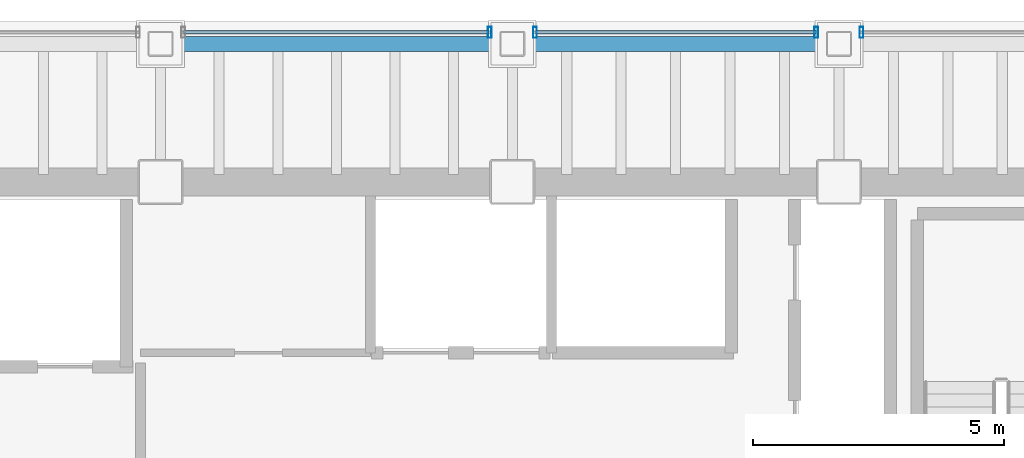
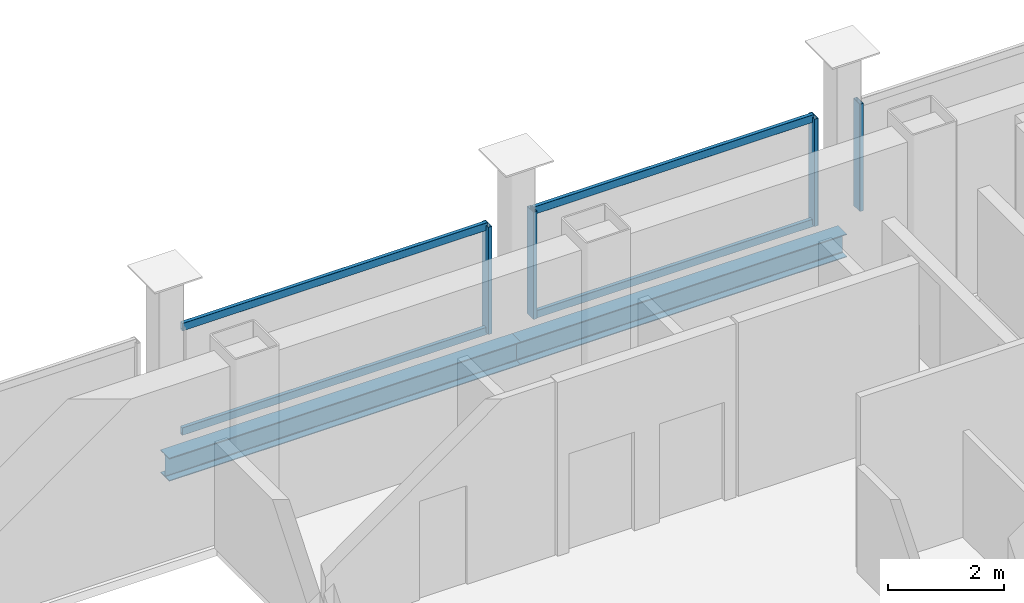
# One storey, part 15 of 21: 8 members, 2 beams, 3 elements without a shape of their own.
"""IFC4 building model written with IfcOpenShell, lengths in metres."""

from ifc_helpers import new_model, si_unit, direction, frame, origin, origin_2d, place, context, subcontext, project, spatial, hollow_rectangle, i_section, extrude, material, material_profile, profile_set, type_object, element, aggregate, save


model = new_model("IFC4")

# Units and contexts
model_context = context("Model", 3, precision=1e-05, world=origin(), true_north=direction((0.0, 1.0)))
body_context = subcontext(model_context, "Body", "Model", "MODEL_VIEW")
ifc_project = project(units=[si_unit("LENGTHUNIT", "METRE"), si_unit("AREAUNIT", "SQUARE_METRE"), si_unit("VOLUMEUNIT", "CUBIC_METRE"), si_unit("PLANEANGLEUNIT", "RADIAN"), si_unit("MASSUNIT", "GRAM", prefix="KILO")], contexts=[model_context])

# Site, building, storey
site_placement = place(None, origin())
site = spatial("IfcSite", under=ifc_project, at=site_placement, CompositionType="ELEMENT")
building_placement = place(site_placement, origin())
building = spatial("IfcBuilding", under=site, at=building_placement, Name="Noeulbin Bourse Tower", CompositionType="ELEMENT")
storey_placement = place(building_placement, frame((0.0, 0.0, 111.0)))
storey = spatial("IfcBuildingStorey", under=building, at=storey_placement, Name="L27", CompositionType="ELEMENT", Elevation=111.0)

# Beams
ifc_material_1 = material(Name="Steel S355", Category="steel")
ifc_material_profile_1 = material_profile(ifc_material_1, i_section(OverallWidth=0.300048828125, OverallDepth=0.488037109375, WebThickness=0.010986328125, FlangeThickness=0.01806640625, FilletRadius=0.02197265625, at=origin_2d()), Name="H-488x300x11x18", Category="LoadBearing")
ifc_profile_set_1 = profile_set([ifc_material_profile_1], Name="Steel S355")
beam_type = type_object("IfcBeamType", Name="BM-SPN-488", PredefinedType="SPANDREL", material=ifc_profile_set_1)
beam_1_placement = place(storey_placement, frame((24.0, 41.050048828125, -0.424072265625), z_axis=(1.0, 0.0, 0.0), x_axis=(0.0, 1.0, 0.0)))
element("IfcBeam", 1, at=beam_1_placement, inside=storey, type_object=beam_type, Name="North Spandrel L27-2", PredefinedType="SPANDREL", context=body_context, shape_type="SweptSolid", body=[
    extrude(i_section(OverallWidth=0.300048828125, OverallDepth=0.488037109375, WebThickness=0.010986328125, FlangeThickness=0.01806640625, FilletRadius=0.02197265625, at=origin_2d()), origin(), (0.0, 0.0, 1.0), 7.0),
])
beam_2_placement = place(storey_placement, frame((31.0, 41.050048828125, -0.424072265625), z_axis=(1.0, 0.0, 0.0), x_axis=(0.0, 1.0, 0.0)))
element("IfcBeam", 2, at=beam_2_placement, inside=storey, type_object=beam_type, Name="North Spandrel L27-3", PredefinedType="SPANDREL", context=body_context, shape_type="SweptSolid", body=[
    extrude(i_section(OverallWidth=0.300048828125, OverallDepth=0.488037109375, WebThickness=0.010986328125, FlangeThickness=0.01806640625, FilletRadius=0.02197265625, at=origin_2d()), origin(), (0.0, 0.0, 1.0), 6.5),
])

# Curtain wall, member
ifc_material_2 = material(Name="Dark Tinted Triple Glazing", Category="glass")
curtain_wall_type = type_object("IfcCurtainWallType", Name="CW-SYS-3", PredefinedType="NOTDEFINED", material=ifc_material_2)
curtain_wall_1_placement = place(storey_placement, origin())
curtain_wall_1 = element("IfcCurtainWall", 3, at=curtain_wall_1_placement, inside=storey, type_object=curtain_wall_type, Name="Unitised Curtain Wall CW-L27-N-S3", PredefinedType="NOTDEFINED")
ifc_material_3 = material(Name="Anodised Aluminium 6063-T6", Category="aluminium")
ifc_material_profile_2 = material_profile(ifc_material_3, hollow_rectangle(XDim=0.074951171875, YDim=0.219970703125, WallThickness=0.0048828125, InnerFilletRadius=0.00244140625, OuterFilletRadius=0.0048828125, at=origin_2d()), Name="ALU-MULL-75x220x5", Category="LoadBearing")
ifc_profile_set_2 = profile_set([ifc_material_profile_2], Name="Anodised Aluminium 6063-T6")
member_type_1 = type_object("IfcMemberType", Name="CW-SYS-3-MUL", PredefinedType="MULLION", material=ifc_profile_set_2)
member_1_placement = place(storey_placement, frame((30.550048828125, 41.280029296875, -0.02001953125), z_axis=(0.0, 0.0, 1.0), x_axis=(1.0, 0.0, 0.0)))
member_1 = element("IfcMember", 4, at=member_1_placement, type_object=member_type_1, Name="Curtain Wall Mullion CW-L27-N-S3-M01", PredefinedType="MULLION", context=body_context, shape_type="SweptSolid", body=[
    extrude(hollow_rectangle(XDim=0.074951171875, YDim=0.219970703125, WallThickness=0.0048828125, InnerFilletRadius=0.00244140625, OuterFilletRadius=0.0048828125, at=origin_2d()), origin(), (0.0, 0.0, 1.0), 2.260009765625),
])

# Curtain wall, members
curtain_wall_2_placement = place(storey_placement, origin())
curtain_wall_2 = element("IfcCurtainWall", 5, at=curtain_wall_2_placement, inside=storey, type_object=curtain_wall_type, Name="Unitised Curtain Wall CW-L27-N-S4", PredefinedType="NOTDEFINED")
member_2_placement = place(storey_placement, frame((31.449951171875, 41.280029296875, -0.02001953125), z_axis=(0.0, 0.0, 1.0), x_axis=(1.0, 0.0, 0.0)))
member_2 = element("IfcMember", 6, at=member_2_placement, type_object=member_type_1, Name="Curtain Wall Mullion CW-L27-N-S4-M00", PredefinedType="MULLION", context=body_context, shape_type="SweptSolid", body=[
    extrude(hollow_rectangle(XDim=0.074951171875, YDim=0.219970703125, WallThickness=0.0048828125, InnerFilletRadius=0.00244140625, OuterFilletRadius=0.0048828125, at=origin_2d()), origin(), (0.0, 0.0, 1.0), 2.260009765625),
])
member_3_placement = place(storey_placement, frame((37.050048828125, 41.280029296875, -0.02001953125), z_axis=(0.0, 0.0, 1.0), x_axis=(1.0, 0.0, 0.0)))
member_3 = element("IfcMember", 7, at=member_3_placement, type_object=member_type_1, Name="Curtain Wall Mullion CW-L27-N-S4-M01", PredefinedType="MULLION", context=body_context, shape_type="SweptSolid", body=[
    extrude(hollow_rectangle(XDim=0.074951171875, YDim=0.219970703125, WallThickness=0.0048828125, InnerFilletRadius=0.00244140625, OuterFilletRadius=0.0048828125, at=origin_2d()), origin(), (0.0, 0.0, 1.0), 2.260009765625),
])

# Curtain wall, member
curtain_wall_3_placement = place(storey_placement, origin())
curtain_wall_3 = element("IfcCurtainWall", 8, at=curtain_wall_3_placement, inside=storey, type_object=curtain_wall_type, Name="Unitised Curtain Wall CW-L27-N-S5", PredefinedType="NOTDEFINED")
member_4_placement = place(storey_placement, frame((37.949951171875, 41.280029296875, -0.02001953125), z_axis=(0.0, 0.0, 1.0), x_axis=(1.0, 0.0, 0.0)))
member_4 = element("IfcMember", 9, at=member_4_placement, type_object=member_type_1, Name="Curtain Wall Mullion CW-L27-N-S5-M00", PredefinedType="MULLION", context=body_context, shape_type="SweptSolid", body=[
    extrude(hollow_rectangle(XDim=0.074951171875, YDim=0.219970703125, WallThickness=0.0048828125, InnerFilletRadius=0.00244140625, OuterFilletRadius=0.0048828125, at=origin_2d()), origin(), (0.0, 0.0, 1.0), 2.260009765625),
])
aggregate(curtain_wall_3, [member_4])

# Member
ifc_material_profile_3 = material_profile(ifc_material_3, hollow_rectangle(XDim=0.074951171875, YDim=0.159912109375, WallThickness=0.0048828125, InnerFilletRadius=0.00244140625, OuterFilletRadius=0.0048828125, at=origin_2d()), Name="ALU-TRAN-75x160x5", Category="LoadBearing")
ifc_profile_set_3 = profile_set([ifc_material_profile_3], Name="Anodised Aluminium 6063-T6")
member_type_2 = type_object("IfcMemberType", Name="CW-SYS-3-TRN", PredefinedType="USERDEFINED", material=ifc_profile_set_3)
member_5_placement = place(storey_placement, frame((24.4599609375, 41.280029296875, 0.010009765625), z_axis=(1.0, 0.0, 0.0), x_axis=(0.0, 1.0, 0.0)))
member_5 = element("IfcMember", 10, at=member_5_placement, type_object=member_type_2, Name="Curtain Wall Transom CW-L27-N-S3-T00", ObjectType="TRANSOM", PredefinedType="USERDEFINED", context=body_context, shape_type="SweptSolid", body=[
    extrude(hollow_rectangle(XDim=0.074951171875, YDim=0.159912109375, WallThickness=0.0048828125, InnerFilletRadius=0.00244140625, OuterFilletRadius=0.0048828125, at=origin_2d()), origin(), (0.0, 0.0, 1.0), 6.080078125),
])

member_6_placement = place(storey_placement, frame((24.4599609375, 41.280029296875, 2.2099609375), z_axis=(1.0, 0.0, 0.0), x_axis=(0.0, 1.0, 0.0)))
member_6 = element("IfcMember", 11, at=member_6_placement, type_object=member_type_2, Name="Curtain Wall Transom CW-L27-N-S3-T01", ObjectType="TRANSOM", PredefinedType="USERDEFINED", context=body_context, shape_type="SweptSolid", body=[
    extrude(hollow_rectangle(XDim=0.074951171875, YDim=0.159912109375, WallThickness=0.0048828125, InnerFilletRadius=0.00244140625, OuterFilletRadius=0.0048828125, at=origin_2d()), origin(), (0.0, 0.0, 1.0), 6.080078125),
])

aggregate(curtain_wall_1, [member_1, member_5, member_6])

member_7_placement = place(storey_placement, frame((31.4599609375, 41.280029296875, 0.010009765625), z_axis=(1.0, 0.0, 0.0), x_axis=(0.0, 1.0, 0.0)))
member_7 = element("IfcMember", 12, at=member_7_placement, type_object=member_type_2, Name="Curtain Wall Transom CW-L27-N-S4-T00", ObjectType="TRANSOM", PredefinedType="USERDEFINED", context=body_context, shape_type="SweptSolid", body=[
    extrude(hollow_rectangle(XDim=0.074951171875, YDim=0.159912109375, WallThickness=0.0048828125, InnerFilletRadius=0.00244140625, OuterFilletRadius=0.0048828125, at=origin_2d()), origin(), (0.0, 0.0, 1.0), 5.580078125),
])

member_8_placement = place(storey_placement, frame((31.4599609375, 41.280029296875, 2.2099609375), z_axis=(1.0, 0.0, 0.0), x_axis=(0.0, 1.0, 0.0)))
member_8 = element("IfcMember", 13, at=member_8_placement, type_object=member_type_2, Name="Curtain Wall Transom CW-L27-N-S4-T01", ObjectType="TRANSOM", PredefinedType="USERDEFINED", context=body_context, shape_type="SweptSolid", body=[
    extrude(hollow_rectangle(XDim=0.074951171875, YDim=0.159912109375, WallThickness=0.0048828125, InnerFilletRadius=0.00244140625, OuterFilletRadius=0.0048828125, at=origin_2d()), origin(), (0.0, 0.0, 1.0), 5.580078125),
])

aggregate(curtain_wall_2, [member_2, member_3, member_7, member_8])

save(model, "model.ifc")
